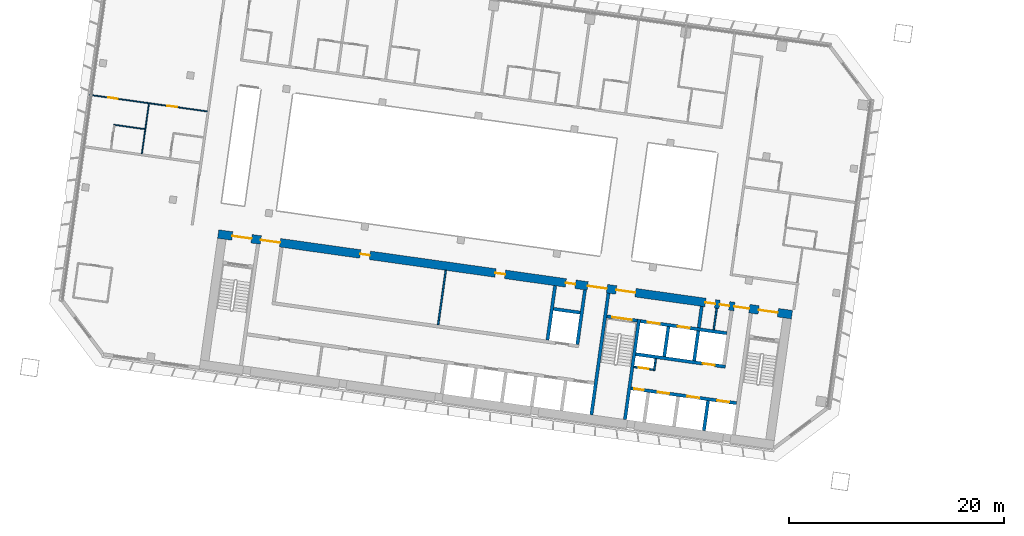
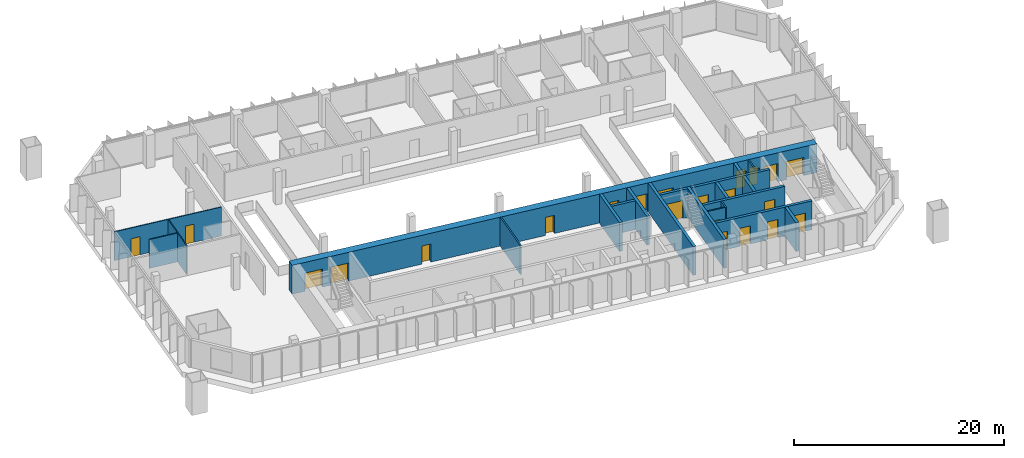
# One storey, part 15 of 25: 22 doors, 21 walls, 22 openings.
"""IFC4 building model written with IfcOpenShell, lengths in metres."""

from ifc_helpers import new_model, si_unit, direction, frame, frame_2d, origin, place, context, subcontext, project, spatial, rectangle, extrude, material, layer, layer_set, type_object, element, fill, save


model = new_model("IFC4")

# Units and contexts
model_context = context("Model", 3, precision=1e-05, world=origin(), true_north=direction((0.0, 1.0)))
body_context = subcontext(model_context, "Body", "Model", "MODEL_VIEW")
ifc_project = project(units=[si_unit("LENGTHUNIT", "METRE"), si_unit("AREAUNIT", "SQUARE_METRE"), si_unit("VOLUMEUNIT", "CUBIC_METRE"), si_unit("PLANEANGLEUNIT", "RADIAN"), si_unit("MASSUNIT", "GRAM", prefix="KILO")], contexts=[model_context])

# Site, building, storey
site_placement = place(None, origin())
site = spatial("IfcSite", under=ifc_project, at=site_placement, CompositionType="ELEMENT")
building_placement = place(site_placement, origin())
building = spatial("IfcBuilding", under=site, at=building_placement, Name="Mirante Cascada Hotel Towers", CompositionType="ELEMENT")
storey_placement = place(building_placement, frame((0.0, 0.0, 136.7)))
storey = spatial("IfcBuildingStorey", under=building, at=storey_placement, Name="L31", CompositionType="ELEMENT", Elevation=136.7)

# Wall
ifc_material_1 = material(Name="Masonry block", Category="masonry")
ifc_layer_1 = layer(ifc_material_1, 0.15)
ifc_layer_set_1 = layer_set([ifc_layer_1], Name="Core room partition 150 block EI 30")
wall_type_1 = type_object("IfcWallType", Name="Core room partition 150 block EI 30", PredefinedType="PARTITIONING", material=ifc_layer_set_1)
wall_1_placement = place(storey_placement, frame((-48.2295, -12.793, 0.0), z_axis=(0.0, 0.0, 1.0), x_axis=(0.1391935, 0.9902652, 0.0)))
element("IfcWall", 1, at=wall_1_placement, inside=storey, type_object=wall_type_1, Name="Core wall partition T1 L31 2", PredefinedType="PARTITIONING", context=body_context, shape_type="SweptSolid", body=[
    extrude(rectangle(XDim=1.1251, YDim=0.15, at=frame_2d((0.5626, 0.0))), origin(), (0.0, 0.0, 1.0), 3.35),
])

# Wall, opening, door
wall_2_placement = place(storey_placement, frame((-48.2933, -12.7083, 0.0), z_axis=(0.0, 0.0, 1.0), x_axis=(-0.990268, 0.1391734, 0.0)))
wall_2 = element("IfcWall", 2, at=wall_2_placement, inside=storey, type_object=wall_type_1, Name="Core wall partition T1 L31 3", PredefinedType="PARTITIONING", context=body_context, shape_type="SweptSolid", body=[
    extrude(rectangle(XDim=1.8251, YDim=0.15, at=frame_2d((0.9126, 0.0))), origin(), (0.0, 0.0, 1.0), 3.35),
])
opening_1_placement = place(wall_2_placement, frame((0.4625, 0.0, 0.0)))
opening_1 = element("IfcOpeningElement", 3, at=opening_1_placement, cuts=wall_2, Name="Opening D1-31-C23", PredefinedType="OPENING", context=body_context, shape_type="SweptSolid", body=[
    extrude(rectangle(XDim=0.9, YDim=2.1, at=frame_2d((0.45, 1.05))), frame((0.0, 0.075, 0.0), z_axis=(0.0, -1.0, 0.0), x_axis=(1.0, 0.0, 0.0)), (0.0, 0.0, 1.0), 0.15),
])
ifc_material_2 = material(Name="Hollow metal fire door leaf")
door_type_1 = type_object("IfcDoorType", Name="Fire door 900x2100 FD60", OperationType="NOTDEFINED", PredefinedType="DOOR", material=ifc_material_2)
door_1_placement = place(opening_1_placement, origin())
door_1 = element("IfcDoor", 4, at=door_1_placement, inside=storey, type_object=door_type_1, Name="Riser door T1 L31 23", OperationType="SINGLE_SWING_LEFT", OverallHeight=2.1, OverallWidth=0.9, PredefinedType="DOOR", context=body_context, shape_type="SweptSolid", body=[
    extrude(rectangle(XDim=0.9, YDim=2.1, at=frame_2d((0.45, 1.05))), frame((0.0, 0.025, 0.0), z_axis=(0.0, -1.0, 0.0), x_axis=(1.0, 0.0, 0.0)), (0.0, 0.0, 1.0), 0.05),
])
fill(opening_1, door_1)

# Walls
wall_3_placement = place(storey_placement, frame((-42.6979, -9.0009, 0.0), z_axis=(0.0, 0.0, 1.0), x_axis=(0.1391529, 0.9902709, 0.0)))
element("IfcWall", 5, at=wall_3_placement, inside=storey, type_object=wall_type_1, Name="Core wall partition T1 L31 4", PredefinedType="PARTITIONING", context=body_context, shape_type="SweptSolid", body=[
    extrude(rectangle(XDim=2.0, YDim=0.15, at=frame_2d((1.0, 0.0))), origin(), (0.0, 0.0, 1.0), 3.35),
])
wall_4_placement = place(storey_placement, frame((-68.2822, -8.5358, 0.0), z_axis=(0.0, 0.0, 1.0), x_axis=(0.1391755, 0.9902677, 0.0)))
element("IfcWall", 6, at=wall_4_placement, inside=storey, type_object=wall_type_1, Name="Core wall partition T1 L31 7", PredefinedType="PARTITIONING", context=body_context, shape_type="SweptSolid", body=[
    extrude(rectangle(XDim=5.1, YDim=0.15, at=frame_2d((2.55, 0.0))), origin(), (0.0, 0.0, 1.0), 3.35),
])
ifc_material_3 = material(Name="Masonry block", Category="masonry")
ifc_layer_2 = layer(ifc_material_3, 0.3)
ifc_layer_set_2 = layer_set([ifc_layer_2], Name="Core wall 300 block EI 120")
wall_type_2 = type_object("IfcWallType", Name="Core wall 300 block EI 120", PredefinedType="PARTITIONING", material=ifc_layer_set_2)
wall_5_placement = place(storey_placement, frame((-44.0843, -8.8061, 0.0), z_axis=(0.0, 0.0, 1.0), x_axis=(0.1391951, 0.990265, 0.0)))
element("IfcWall", 7, at=wall_5_placement, inside=storey, type_object=wall_type_2, Name="Core wall partition T1 L31 1", PredefinedType="PARTITIONING", context=body_context, shape_type="SweptSolid", body=[
    extrude(rectangle(XDim=2.0001, YDim=0.3, at=frame_2d((1.0001, 0.0))), origin(), (0.0, 0.0, 1.0), 3.35),
])
ifc_material_4 = material(Name="Plasterboard on metal studs")
ifc_layer_3 = layer(ifc_material_4, 0.1)
ifc_layer_set_3 = layer_set([ifc_layer_3], Name="Partition 100")
wall_type_3 = type_object("IfcWallType", Name="Partition 100", PredefinedType="PARTITIONING", material=ifc_layer_set_3)
wall_6_placement = place(storey_placement, frame((-95.5188, 9.6317, 0.0), z_axis=(0.0, 0.0, 1.0), x_axis=(-0.9902683, 0.1391714, 0.0)))
element("IfcWall", 8, at=wall_6_placement, inside=storey, type_object=wall_type_3, Name="Wall 1-L31-08", PredefinedType="PARTITIONING", context=body_context, shape_type="SweptSolid", body=[
    extrude(rectangle(XDim=2.9, YDim=0.1, at=frame_2d((1.45, 0.0))), origin(), (0.0, 0.0, 1.0), 3.35),
])

# Wall, openings, doors
wall_7_placement = place(storey_placement, frame((-89.7337, 11.2758, 0.0), z_axis=(0.0, 0.0, 1.0), x_axis=(-0.990268, 0.1391733, 0.0)))
wall_7 = element("IfcWall", 9, at=wall_7_placement, inside=storey, type_object=wall_type_3, Name="Wall 1-L31-10", PredefinedType="PARTITIONING", context=body_context, shape_type="SweptSolid", body=[
    extrude(rectangle(XDim=11.0, YDim=0.1, at=frame_2d((5.5, 0.0))), origin(), (0.0, 0.0, 1.0), 3.35),
])
opening_2_placement = place(wall_7_placement, frame((2.825, 0.0, 0.0)))
opening_2 = element("IfcOpeningElement", 10, at=opening_2_placement, cuts=wall_7, Name="Opening D1-L31-02", PredefinedType="OPENING", context=body_context, shape_type="SweptSolid", body=[
    extrude(rectangle(XDim=0.9, YDim=2.1, at=frame_2d((0.45, 1.05))), frame((0.0, 0.05, 0.0), z_axis=(0.0, -1.0, 0.0), x_axis=(1.0, 0.0, 0.0)), (0.0, 0.0, 1.0), 0.1),
])
opening_3_placement = place(wall_7_placement, frame((8.375, 0.0, 0.0)))
opening_3 = element("IfcOpeningElement", 11, at=opening_3_placement, cuts=wall_7, Name="Opening D1-L31-03", PredefinedType="OPENING", context=body_context, shape_type="SweptSolid", body=[
    extrude(rectangle(XDim=0.9, YDim=2.1, at=frame_2d((0.45, 1.05))), frame((0.0, 0.05, 0.0), z_axis=(0.0, -1.0, 0.0), x_axis=(1.0, 0.0, 0.0)), (0.0, 0.0, 1.0), 0.1),
])
ifc_material_5 = material(Name="Timber door leaf", Category="wood")
door_type_2 = type_object("IfcDoorType", Name="Room door DG3 900x2100", OperationType="SINGLE_SWING_LEFT", PredefinedType="DOOR", material=ifc_material_5)
door_2_placement = place(opening_2_placement, frame((0.9, 0.0, 0.0), z_axis=(0.0, 0.0, 1.0), x_axis=(-1.0, 0.0, 0.0)))
door_2 = element("IfcDoor", 12, at=door_2_placement, inside=storey, type_object=door_type_2, Name="Door D1-L31-02", OperationType="SINGLE_SWING_RIGHT", OverallHeight=2.1, OverallWidth=0.9, PredefinedType="DOOR", context=body_context, shape_type="SweptSolid", body=[
    extrude(rectangle(XDim=0.9, YDim=2.1, at=frame_2d((0.45, 1.05))), frame((0.0, 0.025, 0.0), z_axis=(0.0, -1.0, 0.0), x_axis=(1.0, 0.0, 0.0)), (0.0, 0.0, 1.0), 0.05),
])
fill(opening_2, door_2)
door_3_placement = place(opening_3_placement, frame((0.9, 0.0, 0.0), z_axis=(0.0, 0.0, 1.0), x_axis=(-1.0, 0.0, 0.0)))
door_3 = element("IfcDoor", 13, at=door_3_placement, inside=storey, type_object=door_type_2, Name="Door D1-L31-03", OperationType="SINGLE_SWING_RIGHT", OverallHeight=2.1, OverallWidth=0.9, PredefinedType="DOOR", context=body_context, shape_type="SweptSolid", body=[
    extrude(rectangle(XDim=0.9, YDim=2.1, at=frame_2d((0.45, 1.05))), frame((0.0, 0.025, 0.0), z_axis=(0.0, -1.0, 0.0), x_axis=(1.0, 0.0, 0.0)), (0.0, 0.0, 1.0), 0.05),
])
fill(opening_3, door_3)

# Walls
wall_8_placement = place(storey_placement, frame((-95.7894, 7.3471, 0.0), z_axis=(0.0, 0.0, 1.0), x_axis=(0.139176, 0.9902677, 0.0)))
element("IfcWall", 14, at=wall_8_placement, inside=storey, type_object=wall_type_3, Name="Wall 1-L31-48", PredefinedType="PARTITIONING", context=body_context, shape_type="SweptSolid", body=[
    extrude(rectangle(XDim=4.6833, YDim=0.1, at=frame_2d((2.3416, 0.0))), origin(), (0.0, 0.0, 1.0), 3.35),
])
ifc_material_6 = material(Name="Concrete C50/60", Category="concrete")
ifc_layer_4 = layer(ifc_material_6, 0.3)
ifc_layer_set_4 = layer_set([ifc_layer_4], Name="RC core wall 300 C50/60")
wall_type_4 = type_object("IfcWallType", Name="RC core wall 300 C50/60", PredefinedType="SHEAR", material=ifc_layer_set_4)
wall_9_placement = place(storey_placement, frame((-50.938, -17.3352, 0.0), z_axis=(0.0, 0.0, 1.0), x_axis=(0.1391706, 0.9902684, 0.0)))
element("IfcWall", 15, at=wall_9_placement, inside=storey, type_object=wall_type_4, Name="Core wall T1:L31:6", PredefinedType="SHEAR", context=body_context, shape_type="SweptSolid", body=[
    extrude(rectangle(XDim=9.4, YDim=0.3, at=frame_2d((4.7, 0.0))), origin(), (0.0, 0.0, 1.0), 3.35),
])
wall_10_placement = place(storey_placement, frame((-54.0574, -16.8968, 0.0), z_axis=(0.0, 0.0, 1.0), x_axis=(0.1391761, 0.9902677, 0.0)))
element("IfcWall", 16, at=wall_10_placement, inside=storey, type_object=wall_type_4, Name="Core wall T1:L31:7", PredefinedType="SHEAR", context=body_context, shape_type="SweptSolid", body=[
    extrude(rectangle(XDim=11.3999, YDim=0.3, at=frame_2d((5.7, 0.0))), origin(), (0.0, 0.0, 1.0), 3.35),
])

# Wall, opening, door
wall_11_placement = place(storey_placement, frame((-49.7992, -8.1544, 0.0), z_axis=(0.0, 0.0, 1.0), x_axis=(-0.9902656, 0.1391909, 0.0)))
wall_11 = element("IfcWall", 17, at=wall_11_placement, inside=storey, type_object=wall_type_4, Name="Core wall T1:L31:10", PredefinedType="SHEAR", context=body_context, shape_type="SweptSolid", body=[
    extrude(rectangle(XDim=2.85, YDim=0.3, at=frame_2d((1.425, 0.0))), origin(), (0.0, 0.0, 1.0), 3.35),
])
opening_4_placement = place(wall_11_placement, frame((0.525, 0.0, 0.0)))
opening_4 = element("IfcOpeningElement", 18, at=opening_4_placement, cuts=wall_11, Name="Opening D1-31-C15", PredefinedType="OPENING", context=body_context, shape_type="SweptSolid", body=[
    extrude(rectangle(XDim=1.8, YDim=2.1, at=frame_2d((0.9, 1.05))), frame((0.0, 0.15, 0.0), z_axis=(0.0, -1.0, 0.0), x_axis=(1.0, 0.0, 0.0)), (0.0, 0.0, 1.0), 0.3),
])
ifc_material_7 = material(Name="Hollow metal fire door leaf")
door_type_3 = type_object("IfcDoorType", Name="Double fire door 1800x2100 FD60", OperationType="DOUBLE_DOOR_SINGLE_SWING", PredefinedType="DOOR", material=ifc_material_7)
door_4_placement = place(opening_4_placement, origin())
door_4 = element("IfcDoor", 19, at=door_4_placement, inside=storey, type_object=door_type_3, Name="Stair door T1 L31 15", OperationType="DOUBLE_DOOR_SINGLE_SWING", OverallHeight=2.1, OverallWidth=1.8, PredefinedType="DOOR", context=body_context, shape_type="SweptSolid", body=[
    extrude(rectangle(XDim=0.895, YDim=2.1, at=frame_2d((0.4475, 1.05))), frame((0.0, 0.025, 0.0), z_axis=(0.0, -1.0, 0.0), x_axis=(1.0, 0.0, 0.0)), (0.0, 0.0, 1.0), 0.05),
    extrude(rectangle(XDim=0.895, YDim=2.1, at=frame_2d((1.3525, 1.05))), frame((0.0, 0.025, 0.0), z_axis=(0.0, -1.0, 0.0), x_axis=(1.0, 0.0, 0.0)), (0.0, 0.0, 1.0), 0.05),
])
fill(opening_4, door_4)

# Wall, openings, doors
wall_12_placement = place(storey_placement, frame((-40.5753, -15.8126, 0.0), z_axis=(0.0, 0.0, 1.0), x_axis=(-0.9902682, 0.1391725, 0.0)))
wall_12 = element("IfcWall", 20, at=wall_12_placement, inside=storey, type_object=wall_type_4, Name="Core wall T1:L31:12", PredefinedType="SHEAR", context=body_context, shape_type="SweptSolid", body=[
    extrude(rectangle(XDim=9.8999, YDim=0.3, at=frame_2d((4.95, 0.0))), origin(), (0.0, 0.0, 1.0), 3.35),
])
opening_5_placement = place(wall_12_placement, frame((0.7, 0.0, 0.0)))
opening_5 = element("IfcOpeningElement", 21, at=opening_5_placement, cuts=wall_12, Name="Opening LD", PredefinedType="OPENING", context=body_context, shape_type="SweptSolid", body=[
    extrude(rectangle(XDim=1.1, YDim=2.1, at=frame_2d((0.55, 1.05))), frame((0.0, 0.15, 0.0), z_axis=(0.0, -1.0, 0.0), x_axis=(1.0, 0.0, 0.0)), (0.0, 0.0, 1.0), 0.3),
])
opening_6_placement = place(wall_12_placement, frame((3.5, 0.0, 0.0)))
opening_6 = element("IfcOpeningElement", 22, at=opening_6_placement, cuts=wall_12, Name="Opening LD", PredefinedType="OPENING", context=body_context, shape_type="SweptSolid", body=[
    extrude(rectangle(XDim=1.1, YDim=2.1, at=frame_2d((0.55, 1.05))), frame((0.0, 0.15, 0.0), z_axis=(0.0, -1.0, 0.0), x_axis=(1.0, 0.0, 0.0)), (0.0, 0.0, 1.0), 0.3),
])
opening_7_placement = place(wall_12_placement, frame((6.3, 0.0, 0.0)))
opening_7 = element("IfcOpeningElement", 23, at=opening_7_placement, cuts=wall_12, Name="Opening LD", PredefinedType="OPENING", context=body_context, shape_type="SweptSolid", body=[
    extrude(rectangle(XDim=1.1, YDim=2.1, at=frame_2d((0.55, 1.05))), frame((0.0, 0.15, 0.0), z_axis=(0.0, -1.0, 0.0), x_axis=(1.0, 0.0, 0.0)), (0.0, 0.0, 1.0), 0.3),
])
opening_8_placement = place(wall_12_placement, frame((8.7, 0.0, 0.0)))
opening_8 = element("IfcOpeningElement", 24, at=opening_8_placement, cuts=wall_12, Name="Opening D1-31-C22", PredefinedType="OPENING", context=body_context, shape_type="SweptSolid", body=[
    extrude(rectangle(XDim=0.9, YDim=2.1, at=frame_2d((0.45, 1.05))), frame((0.0, 0.15, 0.0), z_axis=(0.0, -1.0, 0.0), x_axis=(1.0, 0.0, 0.0)), (0.0, 0.0, 1.0), 0.3),
])
door_5_placement = place(opening_8_placement, origin())
door_5 = element("IfcDoor", 25, at=door_5_placement, inside=storey, type_object=door_type_1, Name="Riser door T1 L31 22", OperationType="SINGLE_SWING_LEFT", OverallHeight=2.1, OverallWidth=0.9, PredefinedType="DOOR", context=body_context, shape_type="SweptSolid", body=[
    extrude(rectangle(XDim=0.9, YDim=2.1, at=frame_2d((0.45, 1.05))), frame((0.0, 0.025, 0.0), z_axis=(0.0, -1.0, 0.0), x_axis=(1.0, 0.0, 0.0)), (0.0, 0.0, 1.0), 0.05),
])
fill(opening_8, door_5)
ifc_material_8 = material(Name="Stainless steel", Category="steel")
door_type_4 = type_object("IfcDoorType", Name="Lift landing door 1100x2100 EI 120", OperationType="DOUBLE_DOOR_SLIDING", PredefinedType="DOOR", material=ifc_material_8)
door_6_placement = place(opening_5_placement, origin())
door_6 = element("IfcDoor", 26, at=door_6_placement, inside=storey, type_object=door_type_4, Name="Lift landing door HR1-1 L31", OperationType="DOUBLE_DOOR_SLIDING", OverallHeight=2.1, OverallWidth=1.1, PredefinedType="DOOR", context=body_context, shape_type="SweptSolid", body=[
    extrude(rectangle(XDim=0.545, YDim=2.1, at=frame_2d((0.2725, 1.05))), frame((0.0, 0.025, 0.0), z_axis=(0.0, -1.0, 0.0), x_axis=(1.0, 0.0, 0.0)), (0.0, 0.0, 1.0), 0.05),
    extrude(rectangle(XDim=0.545, YDim=2.1, at=frame_2d((0.8275, 1.05))), frame((0.0, 0.025, 0.0), z_axis=(0.0, -1.0, 0.0), x_axis=(1.0, 0.0, 0.0)), (0.0, 0.0, 1.0), 0.05),
])
fill(opening_5, door_6)
door_7_placement = place(opening_6_placement, origin())
door_7 = element("IfcDoor", 27, at=door_7_placement, inside=storey, type_object=door_type_4, Name="Lift landing door HR1-2 L31", OperationType="DOUBLE_DOOR_SLIDING", OverallHeight=2.1, OverallWidth=1.1, PredefinedType="DOOR", context=body_context, shape_type="SweptSolid", body=[
    extrude(rectangle(XDim=0.545, YDim=2.1, at=frame_2d((0.2725, 1.05))), frame((0.0, 0.025, 0.0), z_axis=(0.0, -1.0, 0.0), x_axis=(1.0, 0.0, 0.0)), (0.0, 0.0, 1.0), 0.05),
    extrude(rectangle(XDim=0.545, YDim=2.1, at=frame_2d((0.8275, 1.05))), frame((0.0, 0.025, 0.0), z_axis=(0.0, -1.0, 0.0), x_axis=(1.0, 0.0, 0.0)), (0.0, 0.0, 1.0), 0.05),
])
fill(opening_6, door_7)
door_8_placement = place(opening_7_placement, origin())
door_8 = element("IfcDoor", 28, at=door_8_placement, inside=storey, type_object=door_type_4, Name="Lift landing door HR1-3 L31", OperationType="DOUBLE_DOOR_SLIDING", OverallHeight=2.1, OverallWidth=1.1, PredefinedType="DOOR", context=body_context, shape_type="SweptSolid", body=[
    extrude(rectangle(XDim=0.545, YDim=2.1, at=frame_2d((0.2725, 1.05))), frame((0.0, 0.025, 0.0), z_axis=(0.0, -1.0, 0.0), x_axis=(1.0, 0.0, 0.0)), (0.0, 0.0, 1.0), 0.05),
    extrude(rectangle(XDim=0.545, YDim=2.1, at=frame_2d((0.8275, 1.05))), frame((0.0, 0.025, 0.0), z_axis=(0.0, -1.0, 0.0), x_axis=(1.0, 0.0, 0.0)), (0.0, 0.0, 1.0), 0.05),
])
fill(opening_7, door_8)

# Wall, opening, door
wall_13_placement = place(storey_placement, frame((-41.6153, -12.435, 0.0), z_axis=(0.0, 0.0, 1.0), x_axis=(-0.9902691, 0.139166, 0.0)))
wall_13 = element("IfcWall", 29, at=wall_13_placement, inside=storey, type_object=wall_type_4, Name="Core wall T1:L31:13", PredefinedType="SHEAR", context=body_context, shape_type="SweptSolid", body=[
    extrude(rectangle(XDim=8.4, YDim=0.3, at=frame_2d((4.2, 0.0))), origin(), (0.0, 0.0, 1.0), 3.35),
])
opening_9_placement = place(wall_13_placement, frame((1.0, 0.0, 0.0)))
opening_9 = element("IfcOpeningElement", 30, at=opening_9_placement, cuts=wall_13, Name="Opening LD", PredefinedType="OPENING", context=body_context, shape_type="SweptSolid", body=[
    extrude(rectangle(XDim=1.1, YDim=2.1, at=frame_2d((0.55, 1.05))), frame((0.0, 0.15, 0.0), z_axis=(0.0, -1.0, 0.0), x_axis=(1.0, 0.0, 0.0)), (0.0, 0.0, 1.0), 0.3),
])
door_9_placement = place(opening_9_placement, origin())
door_9 = element("IfcDoor", 31, at=door_9_placement, inside=storey, type_object=door_type_4, Name="Lift landing door HR1-4 L31", OperationType="DOUBLE_DOOR_SLIDING", OverallHeight=2.1, OverallWidth=1.1, PredefinedType="DOOR", context=body_context, shape_type="SweptSolid", body=[
    extrude(rectangle(XDim=0.545, YDim=2.1, at=frame_2d((0.2725, 1.05))), frame((0.0, 0.025, 0.0), z_axis=(0.0, -1.0, 0.0), x_axis=(1.0, 0.0, 0.0)), (0.0, 0.0, 1.0), 0.05),
    extrude(rectangle(XDim=0.545, YDim=2.1, at=frame_2d((0.8275, 1.05))), frame((0.0, 0.025, 0.0), z_axis=(0.0, -1.0, 0.0), x_axis=(1.0, 0.0, 0.0)), (0.0, 0.0, 1.0), 0.05),
])
fill(opening_9, door_9)

# Wall, openings, doors
wall_14_placement = place(storey_placement, frame((-41.481, -9.3234, 0.0), z_axis=(0.0, 0.0, 1.0), x_axis=(-0.9902679, 0.1391741, 0.0)))
wall_14 = element("IfcWall", 32, at=wall_14_placement, inside=storey, type_object=wall_type_4, Name="Core wall T1:L31:14", PredefinedType="SHEAR", context=body_context, shape_type="SweptSolid", body=[
    extrude(rectangle(XDim=8.0999, YDim=0.3, at=frame_2d((4.05, 0.0))), origin(), (0.0, 0.0, 1.0), 3.35),
])
opening_10_placement = place(wall_14_placement, frame((3.5, 0.0, 0.0)))
opening_10 = element("IfcOpeningElement", 33, at=opening_10_placement, cuts=wall_14, Name="Opening LD", PredefinedType="OPENING", context=body_context, shape_type="SweptSolid", body=[
    extrude(rectangle(XDim=1.1, YDim=2.1, at=frame_2d((0.55, 1.05))), frame((0.0, 0.15, 0.0), z_axis=(0.0, -1.0, 0.0), x_axis=(1.0, 0.0, 0.0)), (0.0, 0.0, 1.0), 0.3),
])
opening_11_placement = place(wall_14_placement, frame((6.3, 0.0, 0.0)))
opening_11 = element("IfcOpeningElement", 34, at=opening_11_placement, cuts=wall_14, Name="Opening LD", PredefinedType="OPENING", context=body_context, shape_type="SweptSolid", body=[
    extrude(rectangle(XDim=1.1, YDim=2.1, at=frame_2d((0.55, 1.05))), frame((0.0, 0.15, 0.0), z_axis=(0.0, -1.0, 0.0), x_axis=(1.0, 0.0, 0.0)), (0.0, 0.0, 1.0), 0.3),
])
door_10_placement = place(opening_10_placement, origin())
door_10 = element("IfcDoor", 35, at=door_10_placement, inside=storey, type_object=door_type_4, Name="Lift landing door FF1 L31", OperationType="DOUBLE_DOOR_SLIDING", OverallHeight=2.1, OverallWidth=1.1, PredefinedType="DOOR", context=body_context, shape_type="SweptSolid", body=[
    extrude(rectangle(XDim=0.545, YDim=2.1, at=frame_2d((0.2725, 1.05))), frame((0.0, 0.025, 0.0), z_axis=(0.0, -1.0, 0.0), x_axis=(1.0, 0.0, 0.0)), (0.0, 0.0, 1.0), 0.05),
    extrude(rectangle(XDim=0.545, YDim=2.1, at=frame_2d((0.8275, 1.05))), frame((0.0, 0.025, 0.0), z_axis=(0.0, -1.0, 0.0), x_axis=(1.0, 0.0, 0.0)), (0.0, 0.0, 1.0), 0.05),
])
fill(opening_10, door_10)
door_11_placement = place(opening_11_placement, origin())
door_11 = element("IfcDoor", 36, at=door_11_placement, inside=storey, type_object=door_type_4, Name="Lift landing door FF2 L31", OperationType="DOUBLE_DOOR_SLIDING", OverallHeight=2.1, OverallWidth=1.1, PredefinedType="DOOR", context=body_context, shape_type="SweptSolid", body=[
    extrude(rectangle(XDim=0.545, YDim=2.1, at=frame_2d((0.2725, 1.05))), frame((0.0, 0.025, 0.0), z_axis=(0.0, -1.0, 0.0), x_axis=(1.0, 0.0, 0.0)), (0.0, 0.0, 1.0), 0.05),
    extrude(rectangle(XDim=0.545, YDim=2.1, at=frame_2d((0.8275, 1.05))), frame((0.0, 0.025, 0.0), z_axis=(0.0, -1.0, 0.0), x_axis=(1.0, 0.0, 0.0)), (0.0, 0.0, 1.0), 0.05),
])
fill(opening_11, door_11)

# Walls
wall_15_placement = place(storey_placement, frame((-43.61, -18.3651, 0.0), z_axis=(0.0, 0.0, 1.0), x_axis=(0.1391459, 0.9902719, 0.0)))
element("IfcWall", 37, at=wall_15_placement, inside=storey, type_object=wall_type_4, Name="Core wall T1:L31:15", PredefinedType="SHEAR", context=body_context, shape_type="SweptSolid", body=[
    extrude(rectangle(XDim=2.7999, YDim=0.3, at=frame_2d((1.4, 0.0))), origin(), (0.0, 0.0, 1.0), 3.35),
])
for number, where, z_axis, x_axis, name in (
    (38, (-44.5157, -11.8759, 0.0), (0.0, 0.0, 1.0), (0.139181, 0.990267, 0.0), "Core wall T1:L31:18"),
    (39, (-47.2885, -11.4862, 0.0), (0.0, 0.0, 1.0), (0.139181, 0.990267, 0.0), "Core wall T1:L31:19"),
):
    element("IfcWall", number, at=place(storey_placement, frame(where, z_axis=z_axis, x_axis=x_axis)), inside=storey, type_object=wall_type_4, Name=name, PredefinedType="SHEAR", context=body_context, shape_type="SweptSolid", body=[
        extrude(rectangle(XDim=2.8, YDim=0.3, at=frame_2d((1.4, 0.0))), origin(), (0.0, 0.0, 1.0), 3.35),
    ])
for number, where, z_axis, x_axis, name in (
    (40, (-55.3592, -10.352, 0.0), (0.0, 0.0, 1.0), (0.1391755, 0.9902677, 0.0), "Core wall T1:L31:34"),
    (41, (-58.1319, -9.9623, 0.0), (0.0, 0.0, 1.0), (0.1391755, 0.9902677, 0.0), "Core wall T1:L31:36"),
):
    element("IfcWall", number, at=place(storey_placement, frame(where, z_axis=z_axis, x_axis=x_axis)), inside=storey, type_object=wall_type_4, Name=name, PredefinedType="SHEAR", context=body_context, shape_type="SweptSolid", body=[
        extrude(rectangle(XDim=5.1, YDim=0.3, at=frame_2d((2.55, 0.0))), origin(), (0.0, 0.0, 1.0), 3.35),
    ])
wall_16_placement = place(storey_placement, frame((-55.0971, -7.4098, 0.0), z_axis=(0.0, 0.0, 1.0), x_axis=(-0.9902701, 0.1391586, 0.0)))
element("IfcWall", 42, at=wall_16_placement, inside=storey, type_object=wall_type_4, Name="Core wall T1:L31:37", PredefinedType="SHEAR", context=body_context, shape_type="SweptSolid", body=[
    extrude(rectangle(XDim=2.5, YDim=0.3, at=frame_2d((1.25, 0.0))), origin(), (0.0, 0.0, 1.0), 3.35),
])

# Wall, openings, doors
ifc_material_9 = material(Name="Concrete C50/60", Category="concrete")
ifc_layer_5 = layer(ifc_material_9, 0.8)
ifc_layer_set_5 = layer_set([ifc_layer_5], Name="RC core wall 800 C50/60")
wall_type_5 = type_object("IfcWallType", Name="RC core wall 800 C50/60", PredefinedType="SHEAR", material=ifc_layer_set_5)
wall_17_placement = place(storey_placement, frame((-35.432, -7.5985, 0.0), z_axis=(0.0, 0.0, 1.0), x_axis=(-0.9902681, 0.1391729, 0.0)))
wall_17 = element("IfcWall", 43, at=wall_17_placement, inside=storey, type_object=wall_type_5, Name="Core wall T1:L31:2", PredefinedType="SHEAR", context=body_context, shape_type="SweptSolid", body=[
    extrude(rectangle(XDim=53.8, YDim=0.8, at=frame_2d((26.9, 0.0))), origin(), (0.0, 0.0, 1.0), 3.35),
])
opening_12_placement = place(wall_17_placement, frame((1.325, 0.0, 0.0)))
opening_12 = element("IfcOpeningElement", 44, at=opening_12_placement, cuts=wall_17, Name="Opening D1-31-C14", PredefinedType="OPENING", context=body_context, shape_type="SweptSolid", body=[
    extrude(rectangle(XDim=1.8, YDim=2.1, at=frame_2d((0.9, 1.05))), frame((0.0, 0.4, 0.0), z_axis=(0.0, -1.0, 0.0), x_axis=(1.0, 0.0, 0.0)), (0.0, 0.0, 1.0), 0.8),
])
opening_13_placement = place(wall_17_placement, frame((14.675, 0.0, 0.0)))
opening_13 = element("IfcOpeningElement", 45, at=opening_13_placement, cuts=wall_17, Name="Opening D1-31-C16", PredefinedType="OPENING", context=body_context, shape_type="SweptSolid", body=[
    extrude(rectangle(XDim=1.8, YDim=2.1, at=frame_2d((0.9, 1.05))), frame((0.0, 0.4, 0.0), z_axis=(0.0, -1.0, 0.0), x_axis=(1.0, 0.0, 0.0)), (0.0, 0.0, 1.0), 0.8),
])
opening_14_placement = place(wall_17_placement, frame((50.675, 0.0, 0.0)))
opening_14 = element("IfcOpeningElement", 46, at=opening_14_placement, cuts=wall_17, Name="Opening D1-31-C18", PredefinedType="OPENING", context=body_context, shape_type="SweptSolid", body=[
    extrude(rectangle(XDim=1.8, YDim=2.1, at=frame_2d((0.9, 1.05))), frame((0.0, 0.4, 0.0), z_axis=(0.0, -1.0, 0.0), x_axis=(1.0, 0.0, 0.0)), (0.0, 0.0, 1.0), 0.8),
])
opening_15_placement = place(wall_17_placement, frame((4.0, 0.0, 0.0)))
opening_15 = element("IfcOpeningElement", 47, at=opening_15_placement, cuts=wall_17, Name="Opening D1-31-C19", PredefinedType="OPENING", context=body_context, shape_type="SweptSolid", body=[
    extrude(rectangle(XDim=1.4, YDim=2.1, at=frame_2d((0.7, 1.05))), frame((0.0, 0.4, 0.0), z_axis=(0.0, -1.0, 0.0), x_axis=(1.0, 0.0, 0.0)), (0.0, 0.0, 1.0), 0.8),
])
opening_16_placement = place(wall_17_placement, frame((17.35, 0.0, 0.0)))
opening_16 = element("IfcOpeningElement", 48, at=opening_16_placement, cuts=wall_17, Name="Opening D1-31-C20", PredefinedType="OPENING", context=body_context, shape_type="SweptSolid", body=[
    extrude(rectangle(XDim=1.8, YDim=2.1, at=frame_2d((0.9, 1.05))), frame((0.0, 0.4, 0.0), z_axis=(0.0, -1.0, 0.0), x_axis=(1.0, 0.0, 0.0)), (0.0, 0.0, 1.0), 0.8),
])
opening_17_placement = place(wall_17_placement, frame((48.0, 0.0, 0.0)))
opening_17 = element("IfcOpeningElement", 49, at=opening_17_placement, cuts=wall_17, Name="Opening D1-31-C21", PredefinedType="OPENING", context=body_context, shape_type="SweptSolid", body=[
    extrude(rectangle(XDim=1.8, YDim=2.1, at=frame_2d((0.9, 1.05))), frame((0.0, 0.4, 0.0), z_axis=(0.0, -1.0, 0.0), x_axis=(1.0, 0.0, 0.0)), (0.0, 0.0, 1.0), 0.8),
])
opening_18_placement = place(wall_17_placement, frame((5.8875, 0.0, 0.0)))
opening_18 = element("IfcOpeningElement", 50, at=opening_18_placement, cuts=wall_17, Name="Opening D1-31-C24", PredefinedType="OPENING", context=body_context, shape_type="SweptSolid", body=[
    extrude(rectangle(XDim=0.9, YDim=2.1, at=frame_2d((0.45, 1.05))), frame((0.0, 0.4, 0.0), z_axis=(0.0, -1.0, 0.0), x_axis=(1.0, 0.0, 0.0)), (0.0, 0.0, 1.0), 0.8),
])
opening_19_placement = place(wall_17_placement, frame((7.2125, 0.0, 0.0)))
opening_19 = element("IfcOpeningElement", 51, at=opening_19_placement, cuts=wall_17, Name="Opening D1-31-C25", PredefinedType="OPENING", context=body_context, shape_type="SweptSolid", body=[
    extrude(rectangle(XDim=0.9, YDim=2.1, at=frame_2d((0.45, 1.05))), frame((0.0, 0.4, 0.0), z_axis=(0.0, -1.0, 0.0), x_axis=(1.0, 0.0, 0.0)), (0.0, 0.0, 1.0), 0.8),
])
opening_20_placement = place(wall_17_placement, frame((20.3, 0.0, 0.0)))
opening_20 = element("IfcOpeningElement", 52, at=opening_20_placement, cuts=wall_17, Name="Opening D1-31-C29", PredefinedType="OPENING", context=body_context, shape_type="SweptSolid", body=[
    extrude(rectangle(XDim=0.9, YDim=2.1, at=frame_2d((0.45, 1.05))), frame((0.0, 0.4, 0.0), z_axis=(0.0, -1.0, 0.0), x_axis=(1.0, 0.0, 0.0)), (0.0, 0.0, 1.0), 0.8),
])
opening_21_placement = place(wall_17_placement, frame((26.9, 0.0, 0.0)))
opening_21 = element("IfcOpeningElement", 53, at=opening_21_placement, cuts=wall_17, Name="Opening D1-31-C30", PredefinedType="OPENING", context=body_context, shape_type="SweptSolid", body=[
    extrude(rectangle(XDim=0.9, YDim=2.1, at=frame_2d((0.45, 1.05))), frame((0.0, 0.4, 0.0), z_axis=(0.0, -1.0, 0.0), x_axis=(1.0, 0.0, 0.0)), (0.0, 0.0, 1.0), 0.8),
])
opening_22_placement = place(wall_17_placement, frame((39.575, 0.0, 0.0)))
opening_22 = element("IfcOpeningElement", 54, at=opening_22_placement, cuts=wall_17, Name="Opening D1-31-C31", PredefinedType="OPENING", context=body_context, shape_type="SweptSolid", body=[
    extrude(rectangle(XDim=0.9, YDim=2.1, at=frame_2d((0.45, 1.05))), frame((0.0, 0.4, 0.0), z_axis=(0.0, -1.0, 0.0), x_axis=(1.0, 0.0, 0.0)), (0.0, 0.0, 1.0), 0.8),
])
ifc_material_10 = material(Name="Hollow metal fire door leaf")
door_type_5 = type_object("IfcDoorType", Name="Double fire door 1400x2100 FD60", OperationType="DOUBLE_DOOR_SINGLE_SWING", PredefinedType="DOOR", material=ifc_material_10)
door_12_placement = place(opening_15_placement, frame((1.4, 0.0, 0.0), z_axis=(0.0, 0.0, 1.0), x_axis=(-1.0, 0.0, 0.0)))
door_12 = element("IfcDoor", 55, at=door_12_placement, inside=storey, type_object=door_type_5, Name="Exit door to gallery T1 L31 19", OperationType="DOUBLE_DOOR_SINGLE_SWING", OverallHeight=2.1, OverallWidth=1.4, PredefinedType="DOOR", context=body_context, shape_type="SweptSolid", body=[
    extrude(rectangle(XDim=0.695, YDim=2.1, at=frame_2d((0.3475, 1.05))), frame((0.0, 0.025, 0.0), z_axis=(0.0, -1.0, 0.0), x_axis=(1.0, 0.0, 0.0)), (0.0, 0.0, 1.0), 0.05),
    extrude(rectangle(XDim=0.695, YDim=2.1, at=frame_2d((1.0525, 1.05))), frame((0.0, 0.025, 0.0), z_axis=(0.0, -1.0, 0.0), x_axis=(1.0, 0.0, 0.0)), (0.0, 0.0, 1.0), 0.05),
])
fill(opening_15, door_12)
door_13_placement = place(opening_12_placement, origin())
door_13 = element("IfcDoor", 56, at=door_13_placement, inside=storey, type_object=door_type_3, Name="Exit door to gallery T1 L31 14", OperationType="DOUBLE_DOOR_SINGLE_SWING", OverallHeight=2.1, OverallWidth=1.8, PredefinedType="DOOR", context=body_context, shape_type="SweptSolid", body=[
    extrude(rectangle(XDim=0.895, YDim=2.1, at=frame_2d((0.4475, 1.05))), frame((0.0, 0.025, 0.0), z_axis=(0.0, -1.0, 0.0), x_axis=(1.0, 0.0, 0.0)), (0.0, 0.0, 1.0), 0.05),
    extrude(rectangle(XDim=0.895, YDim=2.1, at=frame_2d((1.3525, 1.05))), frame((0.0, 0.025, 0.0), z_axis=(0.0, -1.0, 0.0), x_axis=(1.0, 0.0, 0.0)), (0.0, 0.0, 1.0), 0.05),
])
fill(opening_12, door_13)
door_14_placement = place(opening_13_placement, origin())
door_14 = element("IfcDoor", 57, at=door_14_placement, inside=storey, type_object=door_type_3, Name="Exit door to gallery T1 L31 16", OperationType="DOUBLE_DOOR_SINGLE_SWING", OverallHeight=2.1, OverallWidth=1.8, PredefinedType="DOOR", context=body_context, shape_type="SweptSolid", body=[
    extrude(rectangle(XDim=0.895, YDim=2.1, at=frame_2d((0.4475, 1.05))), frame((0.0, 0.025, 0.0), z_axis=(0.0, -1.0, 0.0), x_axis=(1.0, 0.0, 0.0)), (0.0, 0.0, 1.0), 0.05),
    extrude(rectangle(XDim=0.895, YDim=2.1, at=frame_2d((1.3525, 1.05))), frame((0.0, 0.025, 0.0), z_axis=(0.0, -1.0, 0.0), x_axis=(1.0, 0.0, 0.0)), (0.0, 0.0, 1.0), 0.05),
])
fill(opening_13, door_14)
door_15_placement = place(opening_14_placement, origin())
door_15 = element("IfcDoor", 58, at=door_15_placement, inside=storey, type_object=door_type_3, Name="Exit door to gallery T1 L31 18", OperationType="DOUBLE_DOOR_SINGLE_SWING", OverallHeight=2.1, OverallWidth=1.8, PredefinedType="DOOR", context=body_context, shape_type="SweptSolid", body=[
    extrude(rectangle(XDim=0.895, YDim=2.1, at=frame_2d((0.4475, 1.05))), frame((0.0, 0.025, 0.0), z_axis=(0.0, -1.0, 0.0), x_axis=(1.0, 0.0, 0.0)), (0.0, 0.0, 1.0), 0.05),
    extrude(rectangle(XDim=0.895, YDim=2.1, at=frame_2d((1.3525, 1.05))), frame((0.0, 0.025, 0.0), z_axis=(0.0, -1.0, 0.0), x_axis=(1.0, 0.0, 0.0)), (0.0, 0.0, 1.0), 0.05),
])
fill(opening_14, door_15)
door_16_placement = place(opening_16_placement, frame((1.8, 0.0, 0.0), z_axis=(0.0, 0.0, 1.0), x_axis=(-1.0, 0.0, 0.0)))
door_16 = element("IfcDoor", 59, at=door_16_placement, inside=storey, type_object=door_type_3, Name="Exit door to gallery T1 L31 20", OperationType="DOUBLE_DOOR_SINGLE_SWING", OverallHeight=2.1, OverallWidth=1.8, PredefinedType="DOOR", context=body_context, shape_type="SweptSolid", body=[
    extrude(rectangle(XDim=0.895, YDim=2.1, at=frame_2d((0.4475, 1.05))), frame((0.0, 0.025, 0.0), z_axis=(0.0, -1.0, 0.0), x_axis=(1.0, 0.0, 0.0)), (0.0, 0.0, 1.0), 0.05),
    extrude(rectangle(XDim=0.895, YDim=2.1, at=frame_2d((1.3525, 1.05))), frame((0.0, 0.025, 0.0), z_axis=(0.0, -1.0, 0.0), x_axis=(1.0, 0.0, 0.0)), (0.0, 0.0, 1.0), 0.05),
])
fill(opening_16, door_16)
door_17_placement = place(opening_17_placement, frame((1.8, 0.0, 0.0), z_axis=(0.0, 0.0, 1.0), x_axis=(-1.0, 0.0, 0.0)))
door_17 = element("IfcDoor", 60, at=door_17_placement, inside=storey, type_object=door_type_3, Name="Exit door to gallery T1 L31 21", OperationType="DOUBLE_DOOR_SINGLE_SWING", OverallHeight=2.1, OverallWidth=1.8, PredefinedType="DOOR", context=body_context, shape_type="SweptSolid", body=[
    extrude(rectangle(XDim=0.895, YDim=2.1, at=frame_2d((0.4475, 1.05))), frame((0.0, 0.025, 0.0), z_axis=(0.0, -1.0, 0.0), x_axis=(1.0, 0.0, 0.0)), (0.0, 0.0, 1.0), 0.05),
    extrude(rectangle(XDim=0.895, YDim=2.1, at=frame_2d((1.3525, 1.05))), frame((0.0, 0.025, 0.0), z_axis=(0.0, -1.0, 0.0), x_axis=(1.0, 0.0, 0.0)), (0.0, 0.0, 1.0), 0.05),
])
fill(opening_17, door_17)
door_18_placement = place(opening_18_placement, origin())
door_18 = element("IfcDoor", 61, at=door_18_placement, inside=storey, type_object=door_type_1, Name="Room door T1 L31 24", OperationType="SINGLE_SWING_RIGHT", OverallHeight=2.1, OverallWidth=0.9, PredefinedType="DOOR", context=body_context, shape_type="SweptSolid", body=[
    extrude(rectangle(XDim=0.9, YDim=2.1, at=frame_2d((0.45, 1.05))), frame((0.0, 0.025, 0.0), z_axis=(0.0, -1.0, 0.0), x_axis=(1.0, 0.0, 0.0)), (0.0, 0.0, 1.0), 0.05),
])
fill(opening_18, door_18)
door_19_placement = place(opening_19_placement, origin())
door_19 = element("IfcDoor", 62, at=door_19_placement, inside=storey, type_object=door_type_1, Name="Room door T1 L31 25", OperationType="SINGLE_SWING_RIGHT", OverallHeight=2.1, OverallWidth=0.9, PredefinedType="DOOR", context=body_context, shape_type="SweptSolid", body=[
    extrude(rectangle(XDim=0.9, YDim=2.1, at=frame_2d((0.45, 1.05))), frame((0.0, 0.025, 0.0), z_axis=(0.0, -1.0, 0.0), x_axis=(1.0, 0.0, 0.0)), (0.0, 0.0, 1.0), 0.05),
])
fill(opening_19, door_19)
door_20_placement = place(opening_20_placement, origin())
door_20 = element("IfcDoor", 63, at=door_20_placement, inside=storey, type_object=door_type_1, Name="Room door T1 L31 29", OperationType="SINGLE_SWING_RIGHT", OverallHeight=2.1, OverallWidth=0.9, PredefinedType="DOOR", context=body_context, shape_type="SweptSolid", body=[
    extrude(rectangle(XDim=0.9, YDim=2.1, at=frame_2d((0.45, 1.05))), frame((0.0, 0.025, 0.0), z_axis=(0.0, -1.0, 0.0), x_axis=(1.0, 0.0, 0.0)), (0.0, 0.0, 1.0), 0.05),
])
fill(opening_20, door_20)
door_21_placement = place(opening_21_placement, origin())
door_21 = element("IfcDoor", 64, at=door_21_placement, inside=storey, type_object=door_type_1, Name="Room door T1 L31 30", OperationType="SINGLE_SWING_RIGHT", OverallHeight=2.1, OverallWidth=0.9, PredefinedType="DOOR", context=body_context, shape_type="SweptSolid", body=[
    extrude(rectangle(XDim=0.9, YDim=2.1, at=frame_2d((0.45, 1.05))), frame((0.0, 0.025, 0.0), z_axis=(0.0, -1.0, 0.0), x_axis=(1.0, 0.0, 0.0)), (0.0, 0.0, 1.0), 0.05),
])
fill(opening_21, door_21)
door_22_placement = place(opening_22_placement, origin())
door_22 = element("IfcDoor", 65, at=door_22_placement, inside=storey, type_object=door_type_1, Name="Room door T1 L31 31", OperationType="SINGLE_SWING_LEFT", OverallHeight=2.1, OverallWidth=0.9, PredefinedType="DOOR", context=body_context, shape_type="SweptSolid", body=[
    extrude(rectangle(XDim=0.9, YDim=2.1, at=frame_2d((0.45, 1.05))), frame((0.0, 0.025, 0.0), z_axis=(0.0, -1.0, 0.0), x_axis=(1.0, 0.0, 0.0)), (0.0, 0.0, 1.0), 0.05),
])
fill(opening_22, door_22)

save(model, "model.ifc")
